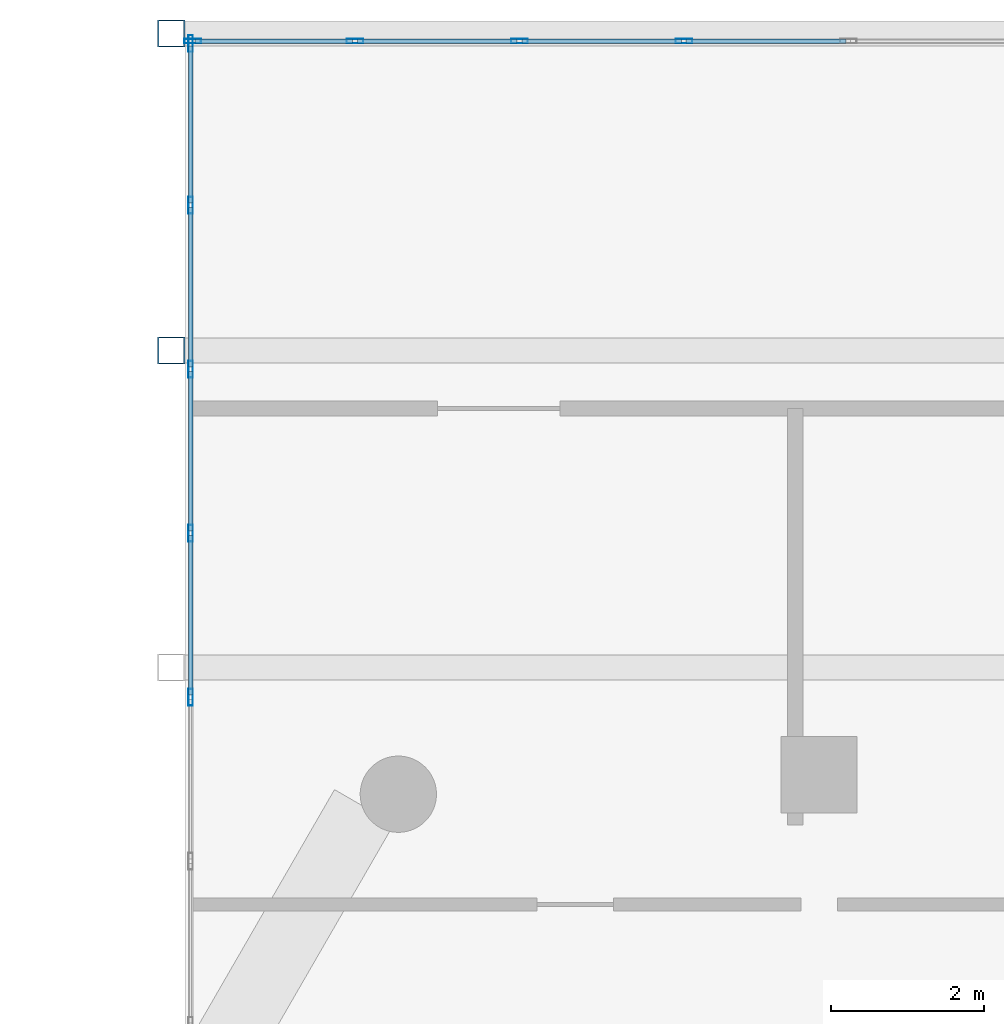
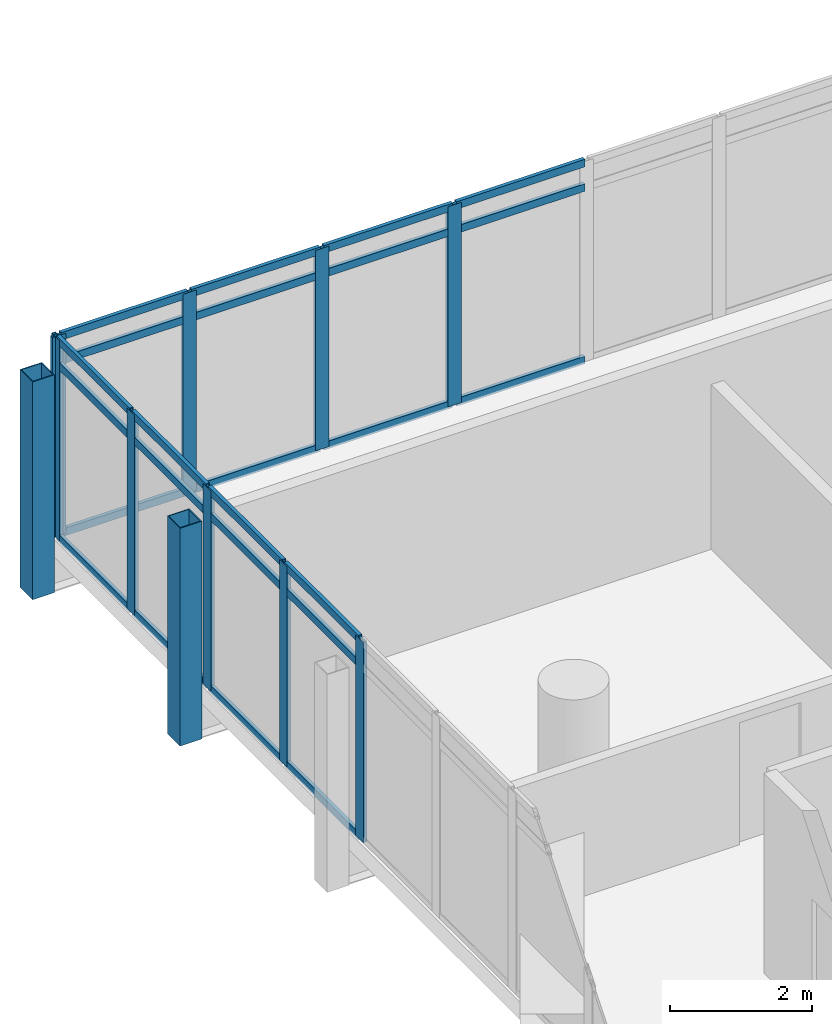
# One storey, part 15 of 29: 35 members, 2 elements without a shape of their own.
"""IFC4 building model written with IfcOpenShell, lengths in metres."""

from ifc_helpers import new_model, si_unit, direction, frame, origin, origin_2d, place, context, subcontext, project, spatial, hollow_rectangle, extrude, material, material_profile, profile_set, type_object, element, aggregate, save


model = new_model("IFC4")

# Units and contexts
model_context = context("Model", 3, precision=1e-05, world=origin(), true_north=direction((0.0, 1.0)))
body_context = subcontext(model_context, "Body", "Model", "MODEL_VIEW")
ifc_project = project(units=[si_unit("LENGTHUNIT", "METRE"), si_unit("AREAUNIT", "SQUARE_METRE"), si_unit("VOLUMEUNIT", "CUBIC_METRE"), si_unit("PLANEANGLEUNIT", "RADIAN"), si_unit("MASSUNIT", "GRAM", prefix="KILO")], contexts=[model_context])

# Site, building, storey
site_placement = place(None, origin())
site = spatial("IfcSite", under=ifc_project, at=site_placement, CompositionType="ELEMENT")
building_placement = place(site_placement, origin())
building = spatial("IfcBuilding", under=site, at=building_placement, Name="Ostrander Bayou Hotel Tower", CompositionType="ELEMENT")
storey_placement = place(building_placement, frame((0.0, 0.0, 202.0)))
storey = spatial("IfcBuildingStorey", under=building, at=storey_placement, Name="L50", CompositionType="ELEMENT", Elevation=202.0)

# Curtain wall, members
ifc_material_1 = material(Name="Aluminium and clear glass", Category="aluminium")
curtain_wall_type = type_object("IfcCurtainWallType", Name="CW-BAR glazed wall", PredefinedType="NOTDEFINED", material=ifc_material_1)
curtain_wall_1_placement = place(storey_placement, origin())
curtain_wall_1 = element("IfcCurtainWall", 1, at=curtain_wall_1_placement, inside=storey, type_object=curtain_wall_type, Name="CW-BAR L50:SB4N:E", PredefinedType="NOTDEFINED")
ifc_material_2 = material(Name="Aluminium", Category="aluminium")
ifc_material_profile_1 = material_profile(ifc_material_2, hollow_rectangle(XDim=0.06005859375, YDim=0.219970703125, WallThickness=0.00390625, at=origin_2d()))
ifc_profile_set_1 = profile_set([ifc_material_profile_1], Name="Aluminium")
member_type_1 = type_object("IfcMemberType", Name="CW-BR mullion 60 x 220 mm", PredefinedType="MULLION", material=ifc_profile_set_1)
member_1_placement = place(storey_placement, frame((-11.857177734375, 19.3154296875, 0.0), z_axis=(0.0, 0.0, 1.0), x_axis=(-1.0, 0.0, 0.0)))
member_1 = element("IfcMember", 2, at=member_1_placement, type_object=member_type_1, Name="CW-BAR mullion 6", PredefinedType="MULLION", context=body_context, shape_type="SweptSolid", body=[
    extrude(hollow_rectangle(XDim=0.06005859375, YDim=0.219970703125, WallThickness=0.00390625, at=origin_2d()), origin(), (0.0, 0.0, 1.0), 3.449951171875),
])
member_2_placement = place(storey_placement, frame((-11.857177734375, 21.465576171875, 0.0), z_axis=(0.0, 0.0, 1.0), x_axis=(-1.0, 0.0, 0.0)))
member_2 = element("IfcMember", 3, at=member_2_placement, type_object=member_type_1, Name="CW-BAR mullion 7", PredefinedType="MULLION", context=body_context, shape_type="SweptSolid", body=[
    extrude(hollow_rectangle(XDim=0.06005859375, YDim=0.219970703125, WallThickness=0.00390625, at=origin_2d()), origin(), (0.0, 0.0, 1.0), 3.449951171875),
])
member_3_placement = place(storey_placement, frame((-11.857177734375, 23.61572265625, 0.0), z_axis=(0.0, 0.0, 1.0), x_axis=(-1.0, 0.0, 0.0)))
member_3 = element("IfcMember", 4, at=member_3_placement, type_object=member_type_1, Name="CW-BAR mullion 8", PredefinedType="MULLION", context=body_context, shape_type="SweptSolid", body=[
    extrude(hollow_rectangle(XDim=0.06005859375, YDim=0.219970703125, WallThickness=0.00390625, at=origin_2d()), origin(), (0.0, 0.0, 1.0), 3.449951171875),
])
member_4_placement = place(storey_placement, frame((-11.857177734375, 25.765869140625, 0.0), z_axis=(0.0, 0.0, 1.0), x_axis=(-1.0, 0.0, 0.0)))
member_4 = element("IfcMember", 5, at=member_4_placement, type_object=member_type_1, Name="CW-BAR mullion 9", PredefinedType="MULLION", context=body_context, shape_type="SweptSolid", body=[
    extrude(hollow_rectangle(XDim=0.06005859375, YDim=0.219970703125, WallThickness=0.00390625, at=origin_2d()), origin(), (0.0, 0.0, 1.0), 3.449951171875),
])
member_5_placement = place(storey_placement, frame((-11.857177734375, 27.885986328125, 0.0), z_axis=(0.0, 0.0, 1.0), x_axis=(-1.0, 0.0, 0.0)))
member_5 = element("IfcMember", 6, at=member_5_placement, type_object=member_type_1, Name="CW-BAR mullion 10", PredefinedType="MULLION", context=body_context, shape_type="SweptSolid", body=[
    extrude(hollow_rectangle(XDim=0.06005859375, YDim=0.219970703125, WallThickness=0.00390625, at=origin_2d()), origin(), (0.0, 0.0, 1.0), 3.449951171875),
])

curtain_wall_2_placement = place(storey_placement, origin())
curtain_wall_2 = element("IfcCurtainWall", 7, at=curtain_wall_2_placement, inside=storey, type_object=curtain_wall_type, Name="CW-BAR L50:SB4N:T", PredefinedType="NOTDEFINED")
member_6_placement = place(storey_placement, frame((-11.8271484375, 27.916015625, 0.0), z_axis=(0.0, 0.0, 1.0), x_axis=(0.0, 1.0, 0.0)))
member_6 = element("IfcMember", 8, at=member_6_placement, type_object=member_type_1, Name="CW-BAR mullion 1", PredefinedType="MULLION", context=body_context, shape_type="SweptSolid", body=[
    extrude(hollow_rectangle(XDim=0.06005859375, YDim=0.219970703125, WallThickness=0.00390625, at=origin_2d()), origin(), (0.0, 0.0, 1.0), 3.449951171875),
])
member_7_placement = place(storey_placement, frame((-9.701416015625, 27.916015625, 0.0), z_axis=(0.0, 0.0, 1.0), x_axis=(0.0, 1.0, 0.0)))
member_7 = element("IfcMember", 9, at=member_7_placement, type_object=member_type_1, Name="CW-BAR mullion 2", PredefinedType="MULLION", context=body_context, shape_type="SweptSolid", body=[
    extrude(hollow_rectangle(XDim=0.06005859375, YDim=0.219970703125, WallThickness=0.00390625, at=origin_2d()), origin(), (0.0, 0.0, 1.0), 3.449951171875),
])
member_8_placement = place(storey_placement, frame((-7.54541015625, 27.916015625, 0.0), z_axis=(0.0, 0.0, 1.0), x_axis=(0.0, 1.0, 0.0)))
member_8 = element("IfcMember", 10, at=member_8_placement, type_object=member_type_1, Name="CW-BAR mullion 3", PredefinedType="MULLION", context=body_context, shape_type="SweptSolid", body=[
    extrude(hollow_rectangle(XDim=0.06005859375, YDim=0.219970703125, WallThickness=0.00390625, at=origin_2d()), origin(), (0.0, 0.0, 1.0), 3.449951171875),
])
member_9_placement = place(storey_placement, frame((-5.3896484375, 27.916015625, 0.0), z_axis=(0.0, 0.0, 1.0), x_axis=(0.0, 1.0, 0.0)))
member_9 = element("IfcMember", 11, at=member_9_placement, type_object=member_type_1, Name="CW-BAR mullion 4", PredefinedType="MULLION", context=body_context, shape_type="SweptSolid", body=[
    extrude(hollow_rectangle(XDim=0.06005859375, YDim=0.219970703125, WallThickness=0.00390625, at=origin_2d()), origin(), (0.0, 0.0, 1.0), 3.449951171875),
])

# Member
ifc_material_3 = material(Name="Aluminium", Category="aluminium")
ifc_material_profile_2 = material_profile(ifc_material_3, hollow_rectangle(XDim=0.06005859375, YDim=0.1298828125, WallThickness=0.00390625, at=origin_2d()))
ifc_profile_set_2 = profile_set([ifc_material_profile_2], Name="Aluminium")
member_type_2 = type_object("IfcMemberType", Name="CW-BR transom 60 x 130 mm", PredefinedType="USERDEFINED", material=ifc_profile_set_2)
member_10_placement = place(storey_placement, frame((-11.857177734375, 19.345458984375, 0.030029296875), z_axis=(0.0, 1.0, 0.0), x_axis=(-1.0, 0.0, 0.0)))
member_10 = element("IfcMember", 12, at=member_10_placement, type_object=member_type_2, Name="CW-BAR transom 6.1", ObjectType="TRANSOM", PredefinedType="USERDEFINED", context=body_context, shape_type="SweptSolid", body=[
    extrude(hollow_rectangle(XDim=0.06005859375, YDim=0.1298828125, WallThickness=0.00390625, at=origin_2d()), origin(), (0.0, 0.0, 1.0), 2.090087890625),
])

member_11_placement = place(storey_placement, frame((-11.857177734375, 19.345458984375, 3.0), z_axis=(0.0, 1.0, 0.0), x_axis=(-1.0, 0.0, 0.0)))
member_11 = element("IfcMember", 13, at=member_11_placement, type_object=member_type_2, Name="CW-BAR transom 6.2", ObjectType="TRANSOM", PredefinedType="USERDEFINED", context=body_context, shape_type="SweptSolid", body=[
    extrude(hollow_rectangle(XDim=0.06005859375, YDim=0.1298828125, WallThickness=0.00390625, at=origin_2d()), origin(), (0.0, 0.0, 1.0), 2.090087890625),
])

member_12_placement = place(storey_placement, frame((-11.857177734375, 19.345458984375, 3.419921875), z_axis=(0.0, 1.0, 0.0), x_axis=(-1.0, 0.0, 0.0)))
member_12 = element("IfcMember", 14, at=member_12_placement, type_object=member_type_2, Name="CW-BAR transom 6.3", ObjectType="TRANSOM", PredefinedType="USERDEFINED", context=body_context, shape_type="SweptSolid", body=[
    extrude(hollow_rectangle(XDim=0.06005859375, YDim=0.1298828125, WallThickness=0.00390625, at=origin_2d()), origin(), (0.0, 0.0, 1.0), 2.090087890625),
])

member_13_placement = place(storey_placement, frame((-11.857177734375, 21.49560546875, 0.030029296875), z_axis=(0.0, 1.0, 0.0), x_axis=(-1.0, 0.0, 0.0)))
member_13 = element("IfcMember", 15, at=member_13_placement, type_object=member_type_2, Name="CW-BAR transom 7.1", ObjectType="TRANSOM", PredefinedType="USERDEFINED", context=body_context, shape_type="SweptSolid", body=[
    extrude(hollow_rectangle(XDim=0.06005859375, YDim=0.1298828125, WallThickness=0.00390625, at=origin_2d()), origin(), (0.0, 0.0, 1.0), 2.090087890625),
])

member_14_placement = place(storey_placement, frame((-11.857177734375, 21.49560546875, 3.0), z_axis=(0.0, 1.0, 0.0), x_axis=(-1.0, 0.0, 0.0)))
member_14 = element("IfcMember", 16, at=member_14_placement, type_object=member_type_2, Name="CW-BAR transom 7.2", ObjectType="TRANSOM", PredefinedType="USERDEFINED", context=body_context, shape_type="SweptSolid", body=[
    extrude(hollow_rectangle(XDim=0.06005859375, YDim=0.1298828125, WallThickness=0.00390625, at=origin_2d()), origin(), (0.0, 0.0, 1.0), 2.090087890625),
])

member_15_placement = place(storey_placement, frame((-11.857177734375, 21.49560546875, 3.419921875), z_axis=(0.0, 1.0, 0.0), x_axis=(-1.0, 0.0, 0.0)))
member_15 = element("IfcMember", 17, at=member_15_placement, type_object=member_type_2, Name="CW-BAR transom 7.3", ObjectType="TRANSOM", PredefinedType="USERDEFINED", context=body_context, shape_type="SweptSolid", body=[
    extrude(hollow_rectangle(XDim=0.06005859375, YDim=0.1298828125, WallThickness=0.00390625, at=origin_2d()), origin(), (0.0, 0.0, 1.0), 2.090087890625),
])

member_16_placement = place(storey_placement, frame((-11.857177734375, 23.645751953125, 0.030029296875), z_axis=(0.0, 1.0, 0.0), x_axis=(-1.0, 0.0, 0.0)))
member_16 = element("IfcMember", 18, at=member_16_placement, type_object=member_type_2, Name="CW-BAR transom 8.1", ObjectType="TRANSOM", PredefinedType="USERDEFINED", context=body_context, shape_type="SweptSolid", body=[
    extrude(hollow_rectangle(XDim=0.06005859375, YDim=0.1298828125, WallThickness=0.00390625, at=origin_2d()), origin(), (0.0, 0.0, 1.0), 2.090087890625),
])

member_17_placement = place(storey_placement, frame((-11.857177734375, 23.645751953125, 3.0), z_axis=(0.0, 1.0, 0.0), x_axis=(-1.0, 0.0, 0.0)))
member_17 = element("IfcMember", 19, at=member_17_placement, type_object=member_type_2, Name="CW-BAR transom 8.2", ObjectType="TRANSOM", PredefinedType="USERDEFINED", context=body_context, shape_type="SweptSolid", body=[
    extrude(hollow_rectangle(XDim=0.06005859375, YDim=0.1298828125, WallThickness=0.00390625, at=origin_2d()), origin(), (0.0, 0.0, 1.0), 2.090087890625),
])

member_18_placement = place(storey_placement, frame((-11.857177734375, 23.645751953125, 3.419921875), z_axis=(0.0, 1.0, 0.0), x_axis=(-1.0, 0.0, 0.0)))
member_18 = element("IfcMember", 20, at=member_18_placement, type_object=member_type_2, Name="CW-BAR transom 8.3", ObjectType="TRANSOM", PredefinedType="USERDEFINED", context=body_context, shape_type="SweptSolid", body=[
    extrude(hollow_rectangle(XDim=0.06005859375, YDim=0.1298828125, WallThickness=0.00390625, at=origin_2d()), origin(), (0.0, 0.0, 1.0), 2.090087890625),
])

member_19_placement = place(storey_placement, frame((-11.857177734375, 25.7958984375, 0.030029296875), z_axis=(0.0, 1.0, 0.0), x_axis=(-1.0, 0.0, 0.0)))
member_19 = element("IfcMember", 21, at=member_19_placement, type_object=member_type_2, Name="CW-BAR transom 9.1", ObjectType="TRANSOM", PredefinedType="USERDEFINED", context=body_context, shape_type="SweptSolid", body=[
    extrude(hollow_rectangle(XDim=0.06005859375, YDim=0.1298828125, WallThickness=0.00390625, at=origin_2d()), origin(), (0.0, 0.0, 1.0), 2.060302734375),
])

member_20_placement = place(storey_placement, frame((-11.857177734375, 25.7958984375, 3.0), z_axis=(0.0, 1.0, 0.0), x_axis=(-1.0, 0.0, 0.0)))
member_20 = element("IfcMember", 22, at=member_20_placement, type_object=member_type_2, Name="CW-BAR transom 9.2", ObjectType="TRANSOM", PredefinedType="USERDEFINED", context=body_context, shape_type="SweptSolid", body=[
    extrude(hollow_rectangle(XDim=0.06005859375, YDim=0.1298828125, WallThickness=0.00390625, at=origin_2d()), origin(), (0.0, 0.0, 1.0), 2.060302734375),
])

member_21_placement = place(storey_placement, frame((-11.857177734375, 25.7958984375, 3.419921875), z_axis=(0.0, 1.0, 0.0), x_axis=(-1.0, 0.0, 0.0)))
member_21 = element("IfcMember", 23, at=member_21_placement, type_object=member_type_2, Name="CW-BAR transom 9.3", ObjectType="TRANSOM", PredefinedType="USERDEFINED", context=body_context, shape_type="SweptSolid", body=[
    extrude(hollow_rectangle(XDim=0.06005859375, YDim=0.1298828125, WallThickness=0.00390625, at=origin_2d()), origin(), (0.0, 0.0, 1.0), 2.060302734375),
])

aggregate(curtain_wall_1, [member_1, member_2, member_3, member_4, member_5, member_10, member_11, member_12, member_13, member_14, member_15, member_16, member_17, member_18, member_19, member_20, member_21])

member_22_placement = place(storey_placement, frame((-11.797119140625, 27.916015625, 0.030029296875), z_axis=(1.0, 0.0, 0.0), x_axis=(0.0, 1.0, 0.0)))
member_22 = element("IfcMember", 24, at=member_22_placement, type_object=member_type_2, Name="CW-BAR transom 1.1", ObjectType="TRANSOM", PredefinedType="USERDEFINED", context=body_context, shape_type="SweptSolid", body=[
    extrude(hollow_rectangle(XDim=0.06005859375, YDim=0.1298828125, WallThickness=0.00390625, at=origin_2d()), origin(), (0.0, 0.0, 1.0), 2.065673828125),
])

member_23_placement = place(storey_placement, frame((-11.797119140625, 27.916015625, 3.0), z_axis=(1.0, 0.0, 0.0), x_axis=(0.0, 1.0, 0.0)))
member_23 = element("IfcMember", 25, at=member_23_placement, type_object=member_type_2, Name="CW-BAR transom 1.2", ObjectType="TRANSOM", PredefinedType="USERDEFINED", context=body_context, shape_type="SweptSolid", body=[
    extrude(hollow_rectangle(XDim=0.06005859375, YDim=0.1298828125, WallThickness=0.00390625, at=origin_2d()), origin(), (0.0, 0.0, 1.0), 2.065673828125),
])

member_24_placement = place(storey_placement, frame((-11.797119140625, 27.916015625, 3.419921875), z_axis=(1.0, 0.0, 0.0), x_axis=(0.0, 1.0, 0.0)))
member_24 = element("IfcMember", 26, at=member_24_placement, type_object=member_type_2, Name="CW-BAR transom 1.3", ObjectType="TRANSOM", PredefinedType="USERDEFINED", context=body_context, shape_type="SweptSolid", body=[
    extrude(hollow_rectangle(XDim=0.06005859375, YDim=0.1298828125, WallThickness=0.00390625, at=origin_2d()), origin(), (0.0, 0.0, 1.0), 2.065673828125),
])

member_25_placement = place(storey_placement, frame((-9.67138671875, 27.916015625, 0.030029296875), z_axis=(1.0, 0.0, 0.0), x_axis=(0.0, 1.0, 0.0)))
member_25 = element("IfcMember", 27, at=member_25_placement, type_object=member_type_2, Name="CW-BAR transom 2.1", ObjectType="TRANSOM", PredefinedType="USERDEFINED", context=body_context, shape_type="SweptSolid", body=[
    extrude(hollow_rectangle(XDim=0.06005859375, YDim=0.1298828125, WallThickness=0.00390625, at=origin_2d()), origin(), (0.0, 0.0, 1.0), 2.095947265625),
])

member_26_placement = place(storey_placement, frame((-9.67138671875, 27.916015625, 3.0), z_axis=(1.0, 0.0, 0.0), x_axis=(0.0, 1.0, 0.0)))
member_26 = element("IfcMember", 28, at=member_26_placement, type_object=member_type_2, Name="CW-BAR transom 2.2", ObjectType="TRANSOM", PredefinedType="USERDEFINED", context=body_context, shape_type="SweptSolid", body=[
    extrude(hollow_rectangle(XDim=0.06005859375, YDim=0.1298828125, WallThickness=0.00390625, at=origin_2d()), origin(), (0.0, 0.0, 1.0), 2.095947265625),
])

member_27_placement = place(storey_placement, frame((-9.67138671875, 27.916015625, 3.419921875), z_axis=(1.0, 0.0, 0.0), x_axis=(0.0, 1.0, 0.0)))
member_27 = element("IfcMember", 29, at=member_27_placement, type_object=member_type_2, Name="CW-BAR transom 2.3", ObjectType="TRANSOM", PredefinedType="USERDEFINED", context=body_context, shape_type="SweptSolid", body=[
    extrude(hollow_rectangle(XDim=0.06005859375, YDim=0.1298828125, WallThickness=0.00390625, at=origin_2d()), origin(), (0.0, 0.0, 1.0), 2.095947265625),
])

member_28_placement = place(storey_placement, frame((-7.515380859375, 27.916015625, 0.030029296875), z_axis=(1.0, 0.0, 0.0), x_axis=(0.0, 1.0, 0.0)))
member_28 = element("IfcMember", 30, at=member_28_placement, type_object=member_type_2, Name="CW-BAR transom 3.1", ObjectType="TRANSOM", PredefinedType="USERDEFINED", context=body_context, shape_type="SweptSolid", body=[
    extrude(hollow_rectangle(XDim=0.06005859375, YDim=0.1298828125, WallThickness=0.00390625, at=origin_2d()), origin(), (0.0, 0.0, 1.0), 2.095703125),
])

member_29_placement = place(storey_placement, frame((-7.515380859375, 27.916015625, 3.0), z_axis=(1.0, 0.0, 0.0), x_axis=(0.0, 1.0, 0.0)))
member_29 = element("IfcMember", 31, at=member_29_placement, type_object=member_type_2, Name="CW-BAR transom 3.2", ObjectType="TRANSOM", PredefinedType="USERDEFINED", context=body_context, shape_type="SweptSolid", body=[
    extrude(hollow_rectangle(XDim=0.06005859375, YDim=0.1298828125, WallThickness=0.00390625, at=origin_2d()), origin(), (0.0, 0.0, 1.0), 2.095703125),
])

member_30_placement = place(storey_placement, frame((-7.515380859375, 27.916015625, 3.419921875), z_axis=(1.0, 0.0, 0.0), x_axis=(0.0, 1.0, 0.0)))
member_30 = element("IfcMember", 32, at=member_30_placement, type_object=member_type_2, Name="CW-BAR transom 3.3", ObjectType="TRANSOM", PredefinedType="USERDEFINED", context=body_context, shape_type="SweptSolid", body=[
    extrude(hollow_rectangle(XDim=0.06005859375, YDim=0.1298828125, WallThickness=0.00390625, at=origin_2d()), origin(), (0.0, 0.0, 1.0), 2.095703125),
])

member_31_placement = place(storey_placement, frame((-5.359619140625, 27.916015625, 0.030029296875), z_axis=(1.0, 0.0, 0.0), x_axis=(0.0, 1.0, 0.0)))
member_31 = element("IfcMember", 33, at=member_31_placement, type_object=member_type_2, Name="CW-BAR transom 4.1", ObjectType="TRANSOM", PredefinedType="USERDEFINED", context=body_context, shape_type="SweptSolid", body=[
    extrude(hollow_rectangle(XDim=0.06005859375, YDim=0.1298828125, WallThickness=0.00390625, at=origin_2d()), origin(), (0.0, 0.0, 1.0), 2.095947265625),
])

member_32_placement = place(storey_placement, frame((-5.359619140625, 27.916015625, 3.0), z_axis=(1.0, 0.0, 0.0), x_axis=(0.0, 1.0, 0.0)))
member_32 = element("IfcMember", 34, at=member_32_placement, type_object=member_type_2, Name="CW-BAR transom 4.2", ObjectType="TRANSOM", PredefinedType="USERDEFINED", context=body_context, shape_type="SweptSolid", body=[
    extrude(hollow_rectangle(XDim=0.06005859375, YDim=0.1298828125, WallThickness=0.00390625, at=origin_2d()), origin(), (0.0, 0.0, 1.0), 2.095947265625),
])

member_33_placement = place(storey_placement, frame((-5.359619140625, 27.916015625, 3.419921875), z_axis=(1.0, 0.0, 0.0), x_axis=(0.0, 1.0, 0.0)))
member_33 = element("IfcMember", 35, at=member_33_placement, type_object=member_type_2, Name="CW-BAR transom 4.3", ObjectType="TRANSOM", PredefinedType="USERDEFINED", context=body_context, shape_type="SweptSolid", body=[
    extrude(hollow_rectangle(XDim=0.06005859375, YDim=0.1298828125, WallThickness=0.00390625, at=origin_2d()), origin(), (0.0, 0.0, 1.0), 2.095947265625),
])

aggregate(curtain_wall_2, [member_6, member_7, member_8, member_9, member_22, member_23, member_24, member_25, member_26, member_27, member_28, member_29, member_30, member_31, member_32, member_33])

# Members
ifc_material_4 = material(Name="Steel ASTM A500 Gr C", Category="steel")
ifc_material_profile_3 = material_profile(ifc_material_4, hollow_rectangle(XDim=0.355712890625, YDim=0.355712890625, WallThickness=0.0146484375, at=origin_2d()))
ifc_profile_set_3 = profile_set([ifc_material_profile_3], Name="Steel ASTM A500 Gr C")
member_type_3 = type_object("IfcMemberType", Name="TH1 bar hanger HSS14x14x5/8", PredefinedType="POST", material=ifc_profile_set_3)
for number, where, z_axis, x_axis, name in (
    (36, (-12.110107421875, 28.01611328125, -0.9111328125), (0.0, 0.0, 1.0), (1.0, 0.0, 0.0), "TH1 SB4WA H1-3"),
    (37, (-12.110107421875, 23.861328125, -0.9111328125), (0.0, 0.0, 1.0), (1.0, 0.0, 0.0), "TH1 SB4WA H2-3"),
):
    element("IfcMember", number, at=place(storey_placement, frame(where, z_axis=z_axis, x_axis=x_axis)), inside=storey, type_object=member_type_3, Name=name, PredefinedType="POST", context=body_context, shape_type="SweptSolid", body=[
        extrude(hollow_rectangle(XDim=0.355712890625, YDim=0.355712890625, WallThickness=0.0146484375, at=origin_2d()), origin(), (0.0, 0.0, 1.0), 3.75),
    ])

save(model, "model.ifc")
